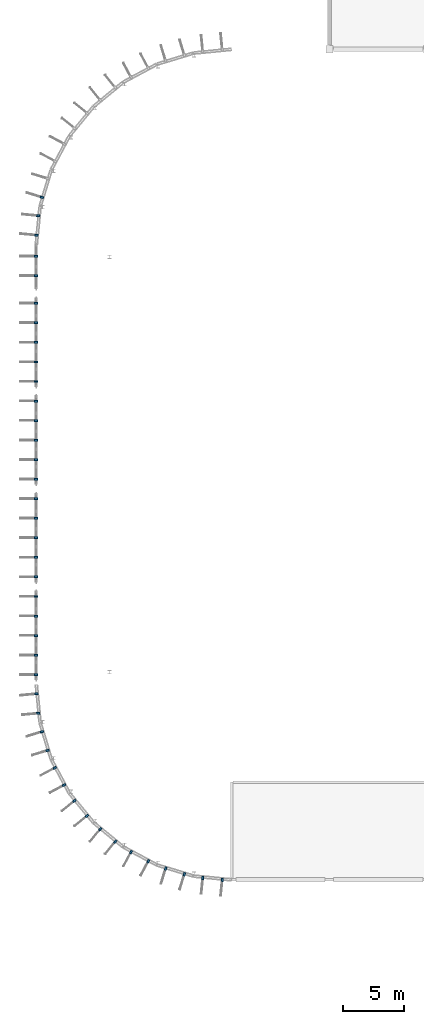
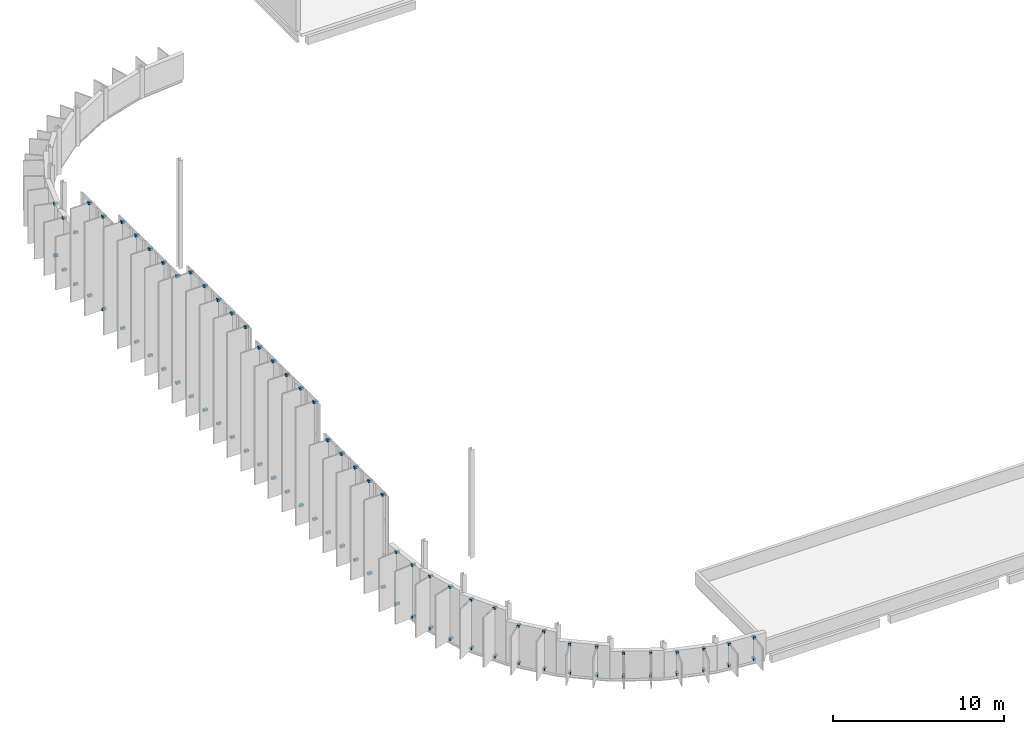
# One storey, part 30 of 38: 82 discrete accessories.
"""IFC4 building model written with IfcOpenShell, lengths in metres."""

from ifc_helpers import new_model, si_unit, direction, frame, origin, origin_2d, place, context, subcontext, project, spatial, rectangle, extrude, material, type_object, element, save


model = new_model("IFC4")

# Units and contexts
model_context = context("Model", 3, precision=1e-05, world=origin(), true_north=direction((0.0, 1.0)))
body_context = subcontext(model_context, "Body", "Model", "MODEL_VIEW")
ifc_project = project(units=[si_unit("LENGTHUNIT", "METRE"), si_unit("AREAUNIT", "SQUARE_METRE"), si_unit("VOLUMEUNIT", "CUBIC_METRE"), si_unit("PLANEANGLEUNIT", "RADIAN"), si_unit("MASSUNIT", "GRAM", prefix="KILO")], contexts=[model_context])

# Site, building, storey
site_placement = place(None, origin())
site = spatial("IfcSite", under=ifc_project, at=site_placement, CompositionType="ELEMENT")
building_placement = place(site_placement, origin())
building = spatial("IfcBuilding", under=site, at=building_placement, Name="Drelvana Railside Aquatics Centre", CompositionType="ELEMENT")
storey_placement = place(building_placement, frame((0.0, 0.0, 14.39990234375)))
storey = spatial("IfcBuildingStorey", under=building, at=storey_placement, Name="L03", CompositionType="ELEMENT", Elevation=14.39990234375)

# Discrete accessories
ifc_material = material(Name="Stainless steel 316 facade bracket", Category="steel")
discrete_accessory_type = type_object("IfcDiscreteAccessoryType", Name="ACC-BRACKET-FIN", PredefinedType="BRACKET", material=ifc_material)
for number, where, z_axis, x_axis, name in (
    (1, (-0.030029296875, 32.800048828125, 0.01513671875), (0.0, 0.0, 1.0), (-1.0, 0.0, 0.0), "Shading fin bracket BK-0413"),
    (2, (-0.030029296875, 32.800048828125, 6.60302734375), (0.0, 0.0, 1.0), (-1.0, 0.0, 0.0), "Shading fin bracket BK-0414"),
    (3, (-0.030029296875, 34.39990234375, 0.01513671875), (0.0, 0.0, 1.0), (-1.0, 0.0, 0.0), "Shading fin bracket BK-0415"),
    (4, (-0.030029296875, 34.39990234375, 6.60302734375), (0.0, 0.0, 1.0), (-1.0, 0.0, 0.0), "Shading fin bracket BK-0416"),
    (5, (-0.030029296875, 36.0, 0.01513671875), (0.0, 0.0, 1.0), (-1.0, 0.0, 0.0), "Shading fin bracket BK-0417"),
    (6, (-0.030029296875, 36.0, 6.60302734375), (0.0, 0.0, 1.0), (-1.0, 0.0, 0.0), "Shading fin bracket BK-0418"),
    (7, (-0.030029296875, 37.60009765625, 0.01513671875), (0.0, 0.0, 1.0), (-1.0, 0.0, 0.0), "Shading fin bracket BK-0419"),
    (8, (-0.030029296875, 37.60009765625, 6.60302734375), (0.0, 0.0, 1.0), (-1.0, 0.0, 0.0), "Shading fin bracket BK-0420"),
    (9, (-0.030029296875, 39.199951171875, 0.01513671875), (0.0, 0.0, 1.0), (-1.0, 0.0, 0.0), "Shading fin bracket BK-0421"),
    (10, (-0.030029296875, 39.199951171875, 6.60302734375), (0.0, 0.0, 1.0), (-1.0, 0.0, 0.0), "Shading fin bracket BK-0422"),
    (11, (-0.030029296875, 40.800048828125, 0.01513671875), (0.0, 0.0, 1.0), (-1.0, 0.0, 0.0), "Shading fin bracket BK-0453"),
    (12, (-0.030029296875, 40.800048828125, 8.34619140625), (0.0, 0.0, 1.0), (-1.0, 0.0, 0.0), "Shading fin bracket BK-0454"),
    (13, (-0.030029296875, 42.39990234375, 0.01513671875), (0.0, 0.0, 1.0), (-1.0, 0.0, 0.0), "Shading fin bracket BK-0455"),
    (14, (-0.030029296875, 42.39990234375, 8.34619140625), (0.0, 0.0, 1.0), (-1.0, 0.0, 0.0), "Shading fin bracket BK-0456"),
    (15, (-0.030029296875, 44.0, 0.01513671875), (0.0, 0.0, 1.0), (-1.0, 0.0, 0.0), "Shading fin bracket BK-0457"),
    (16, (-0.030029296875, 44.0, 8.34619140625), (0.0, 0.0, 1.0), (-1.0, 0.0, 0.0), "Shading fin bracket BK-0458"),
    (17, (-0.030029296875, 45.60009765625, 0.01513671875), (0.0, 0.0, 1.0), (-1.0, 0.0, 0.0), "Shading fin bracket BK-0459"),
    (18, (-0.030029296875, 45.60009765625, 8.34619140625), (0.0, 0.0, 1.0), (-1.0, 0.0, 0.0), "Shading fin bracket BK-0460"),
    (19, (-0.030029296875, 47.199951171875, 0.01513671875), (0.0, 0.0, 1.0), (-1.0, 0.0, 0.0), "Shading fin bracket BK-0461"),
    (20, (-0.030029296875, 47.199951171875, 8.34619140625), (0.0, 0.0, 1.0), (-1.0, 0.0, 0.0), "Shading fin bracket BK-0462"),
    (21, (-0.030029296875, 48.800048828125, 0.01513671875), (0.0, 0.0, 1.0), (-1.0, 0.0, 0.0), "Shading fin bracket BK-0493"),
    (22, (-0.030029296875, 48.800048828125, 8.84521484375), (0.0, 0.0, 1.0), (-1.0, 0.0, 0.0), "Shading fin bracket BK-0494"),
    (23, (-0.030029296875, 50.39990234375, 0.01513671875), (0.0, 0.0, 1.0), (-1.0, 0.0, 0.0), "Shading fin bracket BK-0495"),
    (24, (-0.030029296875, 50.39990234375, 8.84521484375), (0.0, 0.0, 1.0), (-1.0, 0.0, 0.0), "Shading fin bracket BK-0496"),
    (25, (-0.030029296875, 52.0, 0.01513671875), (0.0, 0.0, 1.0), (-1.0, 0.0, 0.0), "Shading fin bracket BK-0497"),
    (26, (-0.030029296875, 52.0, 8.84521484375), (0.0, 0.0, 1.0), (-1.0, 0.0, 0.0), "Shading fin bracket BK-0498"),
    (27, (-0.030029296875, 53.60009765625, 0.01513671875), (0.0, 0.0, 1.0), (-1.0, 0.0, 0.0), "Shading fin bracket BK-0499"),
    (28, (-0.030029296875, 53.60009765625, 8.84521484375), (0.0, 0.0, 1.0), (-1.0, 0.0, 0.0), "Shading fin bracket BK-0500"),
    (29, (-0.030029296875, 55.199951171875, 0.01513671875), (0.0, 0.0, 1.0), (-1.0, 0.0, 0.0), "Shading fin bracket BK-0501"),
    (30, (-0.030029296875, 55.199951171875, 8.84521484375), (0.0, 0.0, 1.0), (-1.0, 0.0, 0.0), "Shading fin bracket BK-0502"),
    (31, (-0.030029296875, 56.800048828125, 0.01513671875), (0.0, 0.0, 1.0), (-1.0, 0.0, 0.0), "Shading fin bracket BK-0533"),
    (32, (-0.030029296875, 56.800048828125, 7.59912109375), (0.0, 0.0, 1.0), (-1.0, 0.0, 0.0), "Shading fin bracket BK-0534"),
    (33, (-0.030029296875, 58.39990234375, 0.01513671875), (0.0, 0.0, 1.0), (-1.0, 0.0, 0.0), "Shading fin bracket BK-0535"),
    (34, (-0.030029296875, 58.39990234375, 7.59912109375), (0.0, 0.0, 1.0), (-1.0, 0.0, 0.0), "Shading fin bracket BK-0536"),
    (35, (-0.030029296875, 60.0, 0.01513671875), (0.0, 0.0, 1.0), (-1.0, 0.0, 0.0), "Shading fin bracket BK-0537"),
    (36, (-0.030029296875, 60.0, 7.59912109375), (0.0, 0.0, 1.0), (-1.0, 0.0, 0.0), "Shading fin bracket BK-0538"),
    (37, (-0.030029296875, 61.60009765625, 0.01513671875), (0.0, 0.0, 1.0), (-1.0, 0.0, 0.0), "Shading fin bracket BK-0539"),
    (38, (-0.030029296875, 61.60009765625, 7.59912109375), (0.0, 0.0, 1.0), (-1.0, 0.0, 0.0), "Shading fin bracket BK-0540"),
    (39, (-0.030029296875, 63.199951171875, 0.01513671875), (0.0, 0.0, 1.0), (-1.0, 0.0, 0.0), "Shading fin bracket BK-0541"),
    (40, (-0.030029296875, 63.199951171875, 7.59912109375), (0.0, 0.0, 1.0), (-1.0, 0.0, 0.0), "Shading fin bracket BK-0542"),
    (41, (-0.030029296875, 65.449951171875, 0.01513671875), (0.0, 0.0, 1.0), (-1.0, 0.0, 0.0), "Shading fin bracket BK-0555"),
    (42, (-0.030029296875, 65.449951171875, 6.60302734375), (0.0, 0.0, 1.0), (-1.0, 0.0, 0.0), "Shading fin bracket BK-0556"),
    (43, (-0.030029296875, 67.050048828125, 0.01513671875), (0.0, 0.0, 1.0), (-1.0, 0.0, 0.0), "Shading fin bracket BK-0557"),
    (44, (-0.030029296875, 67.050048828125, 6.60302734375), (0.0, 0.0, 1.0), (-1.0, 0.0, 0.0), "Shading fin bracket BK-0558"),
    (45, (0.000732421875, 31.22802734375, -0.23486328125), (0.0, 0.0, 1.0), (-0.995184726672, -0.09801714033, 0.0), "Shading fin bracket BK-0571"),
    (46, (0.000732421875, 31.22802734375, 3.455078125), (0.0, 0.0, 1.0), (-0.995184726672, -0.09801714033, 0.0), "Shading fin bracket BK-0572"),
    (47, (0.157470703125, 29.6357421875, -0.23486328125), (0.0, 0.0, 1.0), (-0.995184726672, -0.09801714033, 0.0), "Shading fin bracket BK-0573"),
    (48, (0.157470703125, 29.6357421875, 3.455078125), (0.0, 0.0, 1.0), (-0.995184726672, -0.09801714033, 0.0), "Shading fin bracket BK-0574"),
    (49, (0.458740234375, 28.12158203125, -0.23486328125), (0.0, 0.0, 1.0), (-0.956940335732, -0.290284677254, 0.0), "Shading fin bracket BK-0587"),
    (50, (0.458740234375, 28.12158203125, 3.455078125), (0.0, 0.0, 1.0), (-0.956940335732, -0.290284677254, 0.0), "Shading fin bracket BK-0588"),
    (51, (0.923095703125, 26.590576171875, -0.23486328125), (0.0, 0.0, 1.0), (-0.956940335732, -0.290284677254, 0.0), "Shading fin bracket BK-0589"),
    (52, (0.923095703125, 26.590576171875, 3.455078125), (0.0, 0.0, 1.0), (-0.956940335732, -0.290284677254, 0.0), "Shading fin bracket BK-0590"),
    (53, (1.513916015625, 25.164306640625, -0.23486328125), (0.0, 0.0, 1.0), (-0.881921264348, -0.471396736826, 0.0), "Shading fin bracket BK-0603"),
    (54, (1.513916015625, 25.164306640625, 3.21923828125), (0.0, 0.0, 1.0), (-0.881921264348, -0.471396736826, 0.0), "Shading fin bracket BK-0604"),
    (55, (2.268310546875, 23.753173828125, -0.23486328125), (0.0, 0.0, 1.0), (-0.881921264348, -0.471396736826, 0.0), "Shading fin bracket BK-0605"),
    (56, (2.268310546875, 23.753173828125, 3.21923828125), (0.0, 0.0, 1.0), (-0.881921264348, -0.471396736826, 0.0), "Shading fin bracket BK-0606"),
    (57, (3.1259765625, 22.469482421875, -0.23486328125), (0.0, 0.0, 1.0), (-0.773010453363, -0.634393284164, 0.0), "Shading fin bracket BK-0619"),
    (58, (3.1259765625, 22.469482421875, 2.43408203125), (0.0, 0.0, 1.0), (-0.773010453363, -0.634393284164, 0.0), "Shading fin bracket BK-0620"),
    (59, (4.140869140625, 21.232666015625, -0.23486328125), (0.0, 0.0, 1.0), (-0.773010453363, -0.634393284164, 0.0), "Shading fin bracket BK-0621"),
    (60, (4.140869140625, 21.232666015625, 2.43408203125), (0.0, 0.0, 1.0), (-0.773010453363, -0.634393284164, 0.0), "Shading fin bracket BK-0622"),
    (61, (5.232666015625, 20.140869140625, -0.23486328125), (0.0, 0.0, 1.0), (-0.634393284164, -0.773010453363, 0.0), "Shading fin bracket BK-0635"),
    (62, (5.232666015625, 20.140869140625, 1.81396484375), (0.0, 0.0, 1.0), (-0.634393284164, -0.773010453363, 0.0), "Shading fin bracket BK-0636"),
    (63, (6.469482421875, 19.1259765625, -0.23486328125), (0.0, 0.0, 1.0), (-0.634393284164, -0.773010453363, 0.0), "Shading fin bracket BK-0637"),
    (64, (6.469482421875, 19.1259765625, 1.81396484375), (0.0, 0.0, 1.0), (-0.634393284164, -0.773010453363, 0.0), "Shading fin bracket BK-0638"),
    (65, (7.753173828125, 18.268310546875, -0.23486328125), (0.0, 0.0, 1.0), (-0.471396736826, -0.881921264348, 0.0), "Shading fin bracket BK-0651"),
    (66, (7.753173828125, 18.268310546875, 1.4169921875), (0.0, 0.0, 1.0), (-0.471396736826, -0.881921264348, 0.0), "Shading fin bracket BK-0652"),
    (67, (9.164306640625, 17.513916015625, -0.23486328125), (0.0, 0.0, 1.0), (-0.471396736826, -0.881921264348, 0.0), "Shading fin bracket BK-0653"),
    (68, (9.164306640625, 17.513916015625, 1.4169921875), (0.0, 0.0, 1.0), (-0.471396736826, -0.881921264348, 0.0), "Shading fin bracket BK-0654"),
    (69, (10.590576171875, 16.923095703125, -0.23486328125), (0.0, 0.0, 1.0), (-0.290284677254, -0.956940335732, 0.0), "Shading fin bracket BK-0667"),
    (70, (10.590576171875, 16.923095703125, 1.2900390625), (0.0, 0.0, 1.0), (-0.290284677254, -0.956940335732, 0.0), "Shading fin bracket BK-0668"),
    (71, (12.12158203125, 16.458740234375, -0.23486328125), (0.0, 0.0, 1.0), (-0.290284677254, -0.956940335732, 0.0), "Shading fin bracket BK-0669"),
    (72, (12.12158203125, 16.458740234375, 1.2900390625), (0.0, 0.0, 1.0), (-0.290284677254, -0.956940335732, 0.0), "Shading fin bracket BK-0670"),
    (73, (13.6357421875, 16.157470703125, -0.23486328125), (0.0, 0.0, 1.0), (-0.09801714033, -0.995184726672, 0.0), "Shading fin bracket BK-0683"),
    (74, (13.6357421875, 16.157470703125, 1.2900390625), (0.0, 0.0, 1.0), (-0.09801714033, -0.995184726672, 0.0), "Shading fin bracket BK-0684"),
    (75, (15.22802734375, 16.000732421875, -0.23486328125), (0.0, 0.0, 1.0), (-0.09801714033, -0.995184726672, 0.0), "Shading fin bracket BK-0685"),
    (76, (15.22802734375, 16.000732421875, 1.2900390625), (0.0, 0.0, 1.0), (-0.09801714033, -0.995184726672, 0.0), "Shading fin bracket BK-0686"),
    (77, (0.458740234375, 71.87841796875, -0.23486328125), (0.0, 0.0, 1.0), (-0.956940335732, 0.290284677254, 0.0), "Shading fin bracket BK-0797"),
    (78, (0.458740234375, 71.87841796875, 3.455078125), (0.0, 0.0, 1.0), (-0.956940335732, 0.290284677254, 0.0), "Shading fin bracket BK-0798"),
    (79, (0.157470703125, 70.3642578125, -0.23486328125), (0.0, 0.0, 1.0), (-0.995184726672, 0.09801714033, 0.0), "Shading fin bracket BK-0811"),
    (80, (0.157470703125, 70.3642578125, 3.455078125), (0.0, 0.0, 1.0), (-0.995184726672, 0.09801714033, 0.0), "Shading fin bracket BK-0812"),
    (81, (0.000732421875, 68.77197265625, -0.23486328125), (0.0, 0.0, 1.0), (-0.995184726672, 0.09801714033, 0.0), "Shading fin bracket BK-0813"),
    (82, (0.000732421875, 68.77197265625, 3.455078125), (0.0, 0.0, 1.0), (-0.995184726672, 0.09801714033, 0.0), "Shading fin bracket BK-0814"),
):
    element("IfcDiscreteAccessory", number, at=place(storey_placement, frame(where, z_axis=z_axis, x_axis=x_axis)), inside=storey, type_object=discrete_accessory_type, Name=name, PredefinedType="BRACKET", context=body_context, shape_type="SweptSolid", body=[
        extrude(rectangle(XDim=0.280029296875, YDim=0.159912109375, at=origin_2d()), origin(), (0.0, 0.0, 1.0), 0.159912109375),
    ])

save(model, "model.ifc")
